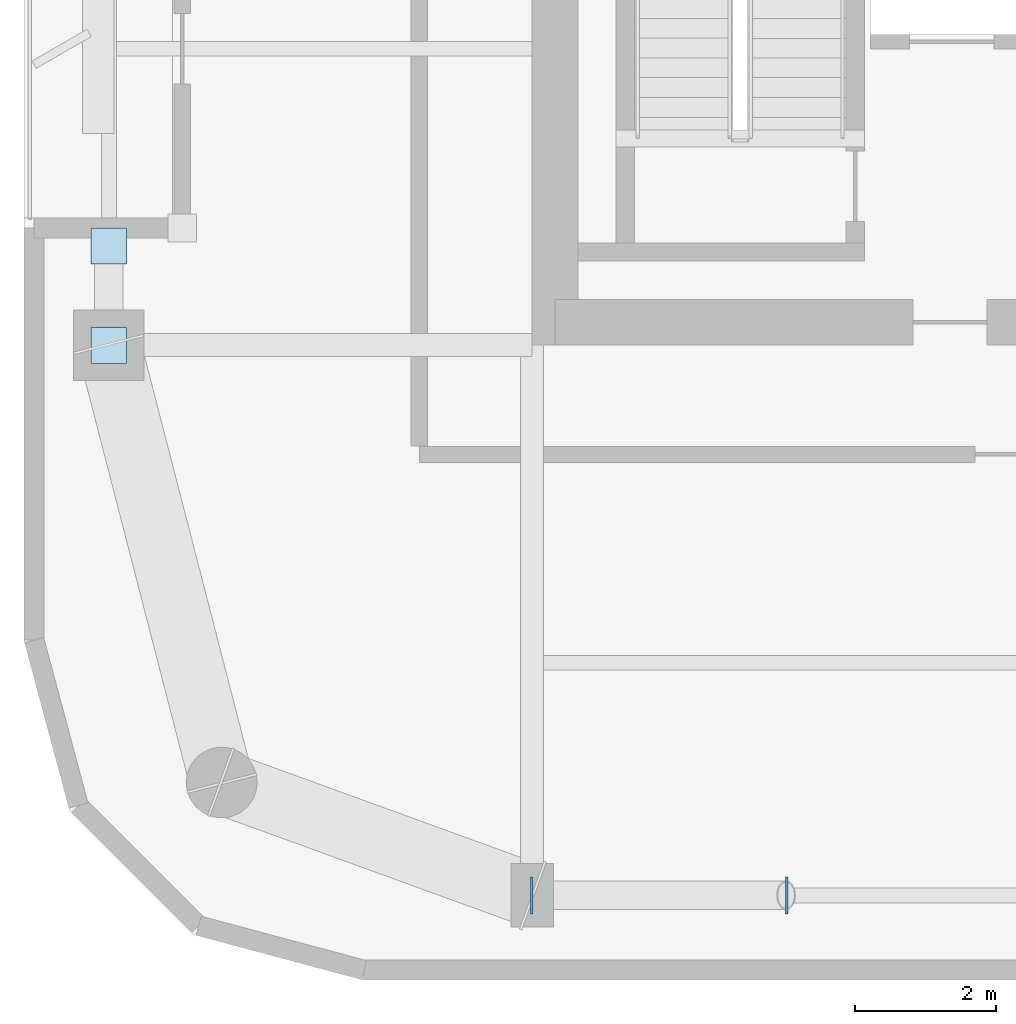
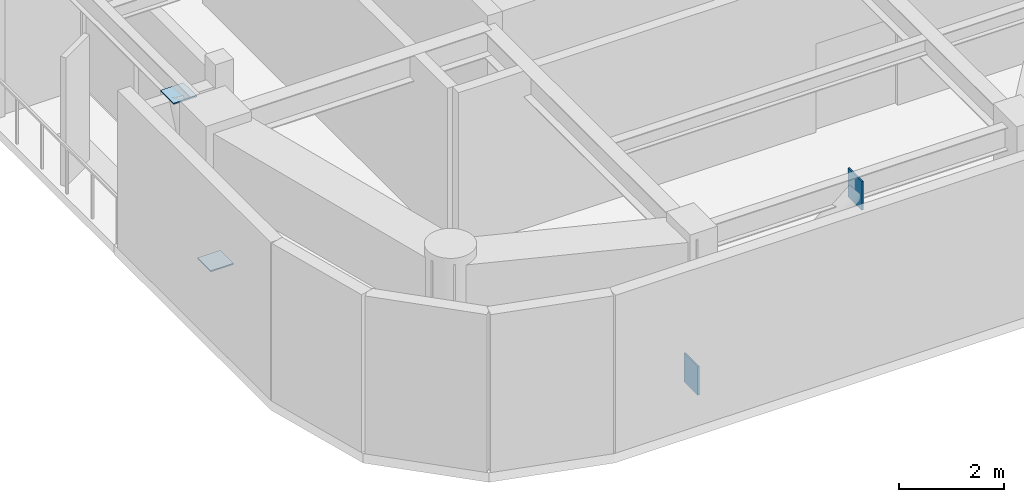
# One storey, part 8 of 16: 4 plates.
"""IFC4 building model written with IfcOpenShell, lengths in metres."""

from ifc_helpers import new_model, si_unit, direction, frame, origin, origin_2d, place, context, subcontext, project, spatial, rectangle, extrude, material, layer, layer_set, type_object, element, save


model = new_model("IFC4")

# Units and contexts
model_context = context("Model", 3, precision=1e-05, world=origin(), true_north=direction((0.0, 1.0)))
body_context = subcontext(model_context, "Body", "Model", "MODEL_VIEW")
ifc_project = project(units=[si_unit("LENGTHUNIT", "METRE"), si_unit("AREAUNIT", "SQUARE_METRE"), si_unit("VOLUMEUNIT", "CUBIC_METRE"), si_unit("PLANEANGLEUNIT", "RADIAN"), si_unit("MASSUNIT", "GRAM", prefix="KILO")], contexts=[model_context])

# Site, building, storey
site_placement = place(None, origin())
site = spatial("IfcSite", under=ifc_project, at=site_placement, CompositionType="ELEMENT")
building_placement = place(site_placement, origin())
building = spatial("IfcBuilding", under=site, at=building_placement, Name="Kiyonajd Concourse Tower", CompositionType="ELEMENT")
storey_placement = place(building_placement, frame((0.0, 0.0, 255.0)))
storey = spatial("IfcBuildingStorey", under=building, at=storey_placement, Name="L64", CompositionType="ELEMENT", Elevation=255.0)

# Plates
ifc_material = material(Name="Steel ASTM A572 Grade 50", Category="steel")
ifc_layer = layer(ifc_material, 0.028076171875)
ifc_layer_set = layer_set([ifc_layer], Name="Steel ASTM A572 Grade 50")
plate_type = type_object("IfcPlateType", Name="PL-CAP-450", PredefinedType="USERDEFINED", material=ifc_layer_set)
for number, where, z_axis, x_axis, name in (
    (1, (32.3916015625, 19.800048828125, -0.04248046875), (0.0, 0.0, 1.0), (-1.0, 0.0, 0.0), "L64 Hollow Brace End Cap Plate PBS"),
    (2, (36.00830078125, 19.800048828125, 3.001708984375), (0.0, 0.0, 1.0), (1.0, 0.0, 0.0), "L64 Hollow Brace Top Cap Plate PBS"),
):
    element("IfcPlate", number, at=place(storey_placement, frame(where, z_axis=z_axis, x_axis=x_axis)), inside=storey, type_object=plate_type, Name=name, ObjectType="CAP PLATE", PredefinedType="USERDEFINED", context=body_context, shape_type="SweptSolid", body=[
        extrude(rectangle(XDim=0.035888671875, YDim=0.52587890625, at=origin_2d()), origin(), (0.0, 0.0, 1.0), 0.6708984375),
    ])
for number, where, z_axis, x_axis, name in (
    (3, (26.39990234375, 27.595458984375, 0.27587890625), (0.0, 0.0, 1.0), (1.0, 0.0, 0.0), "L64 Hollow Brace End Cap Plate PBW"),
    (4, (26.39990234375, 29.004638671875, 3.326171875), (0.0, 0.0, 1.0), (1.0, 0.0, 0.0), "L64 Hollow Brace Top Cap Plate PBW"),
):
    element("IfcPlate", number, at=place(storey_placement, frame(where, z_axis=z_axis, x_axis=x_axis)), inside=storey, type_object=plate_type, Name=name, ObjectType="CAP PLATE", PredefinedType="USERDEFINED", context=body_context, shape_type="SweptSolid", body=[
        extrude(rectangle(XDim=0.506103515625, YDim=0.506103515625, at=origin_2d()), origin(), (0.0, 0.0, 1.0), 0.028076171875),
    ])

save(model, "model.ifc")
